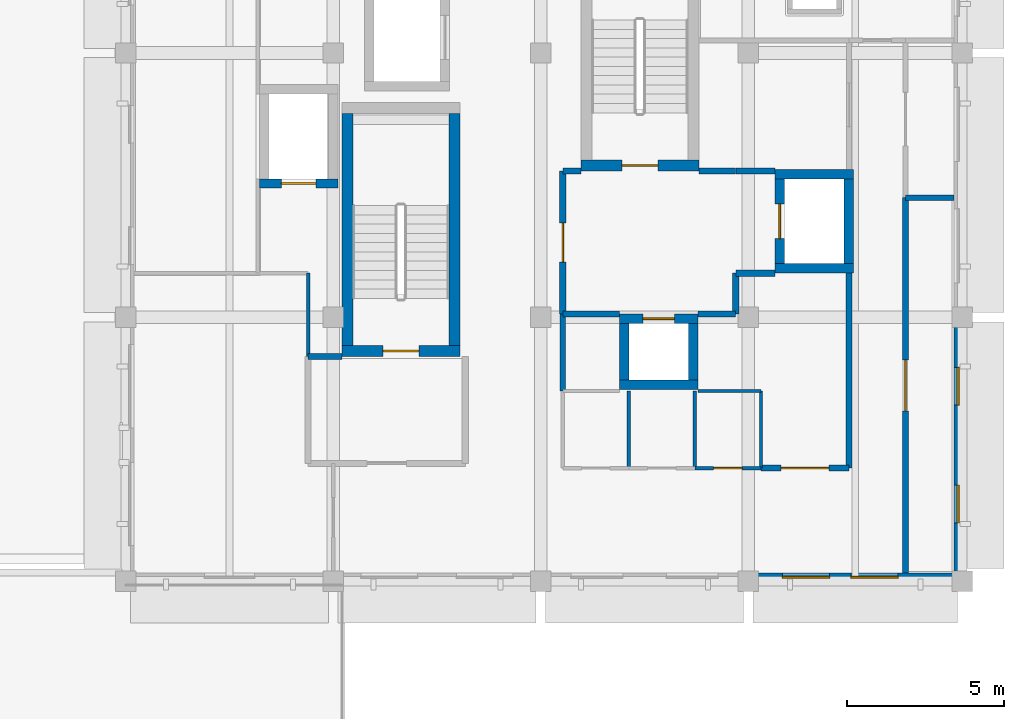
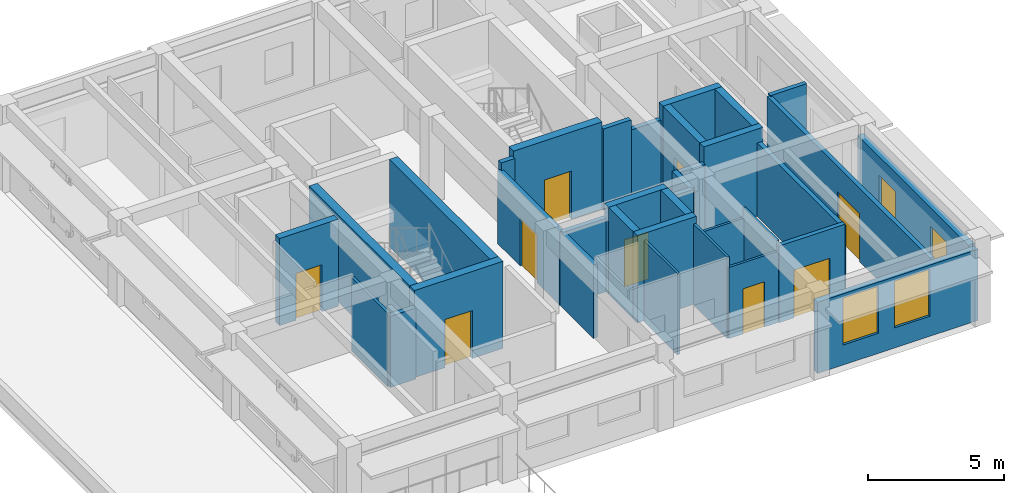
# One storey, part 3 of 7: 35 walls, 9 doors, 4 windows, 13 openings.
"""IFC4 building model written with IfcOpenShell, lengths in metres."""

from ifc_helpers import new_model, si_unit, direction, frame, frame_2d, origin, place, context, subcontext, project, spatial, rectangle, extrude, material, layer, layer_set, type_object, element, fill, save


model = new_model("IFC4")

# Units and contexts
model_context = context("Model", 3, precision=1e-05, world=origin(), true_north=direction((0.0, 1.0)))
body_context = subcontext(model_context, "Body", "Model", "MODEL_VIEW")
ifc_project = project(units=[si_unit("LENGTHUNIT", "METRE"), si_unit("AREAUNIT", "SQUARE_METRE"), si_unit("VOLUMEUNIT", "CUBIC_METRE"), si_unit("PLANEANGLEUNIT", "RADIAN"), si_unit("MASSUNIT", "GRAM", prefix="KILO")], contexts=[model_context])

# Site, building, storey
site_placement = place(None, origin())
site = spatial("IfcSite", under=ifc_project, at=site_placement, CompositionType="ELEMENT")
building_placement = place(site_placement, origin())
building = spatial("IfcBuilding", under=site, at=building_placement, Name="Kolvaren Faculty of Natural Sciences", CompositionType="ELEMENT")
storey_placement = place(building_placement, frame((0.0, 0.0, 32.699951171875)))
storey = spatial("IfcBuildingStorey", under=building, at=storey_placement, Name="L07", CompositionType="ELEMENT", Elevation=32.699951171875)

# Wall, opening, door
ifc_material_1 = material(Name="Concrete C40/50", Category="concrete")
ifc_layer_1 = layer(ifc_material_1, 0.35009765625)
ifc_layer_set_1 = layer_set([ifc_layer_1], Name="Concrete C40/50")
wall_type_1 = type_object("IfcWallType", Name="CoreShearWall_350", PredefinedType="SHEAR", material=ifc_layer_set_1)
wall_1_placement = place(storey_placement, frame((159.875, 72.22509765625, 0.0), z_axis=(0.0, 0.0, 1.0), x_axis=(1.0, 0.0, 0.0)))
wall_1 = element("IfcWall", 1, at=wall_1_placement, inside=storey, type_object=wall_type_1, Name="L07 CORE-C1 stair shear wall S", PredefinedType="SHEAR", context=body_context, shape_type="SweptSolid", body=[
    extrude(rectangle(XDim=3.75, YDim=0.35009765625, at=frame_2d((1.875, 0.0))), origin(), (0.0, 0.0, 1.0), 3.900146484375),
])
opening_1_placement = place(wall_1_placement, frame((1.300048828125, 0.0, 0.0)))
opening_1 = element("IfcOpeningElement", 2, at=opening_1_placement, cuts=wall_1, Name="Opening FD90", PredefinedType="OPENING", context=body_context, shape_type="SweptSolid", body=[
    extrude(rectangle(XDim=1.14990234375, YDim=2.14990234375, at=frame_2d((0.574951171875, 1.074951171875))), frame((0.0, 0.18505859375, 0.0), z_axis=(0.0, -1.0, 0.0), x_axis=(1.0, 0.0, 0.0)), (0.0, 0.0, 1.0), 0.3701171875),
])
ifc_material_2 = material(Name="Fire-rated solid-core hardwood door leaf in steel frame", Category="steel")
door_type_1 = type_object("IfcDoorType", Name="StairCoreFireDoor_1150x2150", OperationType="NOTDEFINED", PredefinedType="DOOR", material=ifc_material_2)
door_1_placement = place(opening_1_placement, origin())
door_1 = element("IfcDoor", 3, at=door_1_placement, inside=storey, type_object=door_type_1, Name="D-ST-ST-1-L07", OperationType="SINGLE_SWING_LEFT", OverallHeight=2.14990234375, OverallWidth=1.14990234375, PredefinedType="DOOR", context=body_context, shape_type="SweptSolid", body=[
    extrude(rectangle(XDim=1.14990234375, YDim=2.14990234375, at=frame_2d((0.574951171875, 1.074951171875))), frame((0.0, 0.02490234375, 0.0), z_axis=(0.0, -1.0, 0.0), x_axis=(1.0, 0.0, 0.0)), (0.0, 0.0, 1.0), 0.050048828125),
])
fill(opening_1, door_1)

wall_2_placement = place(storey_placement, frame((152.27490234375, 66.324951171875, 0.0), z_axis=(0.0, 0.0, 1.0), x_axis=(1.0, 0.0, 0.0)))
wall_2 = element("IfcWall", 4, at=wall_2_placement, inside=storey, type_object=wall_type_1, Name="L07 CORE-C2 stair shear wall S", PredefinedType="SHEAR", context=body_context, shape_type="SweptSolid", body=[
    extrude(rectangle(XDim=3.75, YDim=0.35009765625, at=frame_2d((1.875, 0.0))), origin(), (0.0, 0.0, 1.0), 3.900146484375),
])
opening_2_placement = place(wall_2_placement, frame((1.300048828125, 0.0, 0.0)))
opening_2 = element("IfcOpeningElement", 5, at=opening_2_placement, cuts=wall_2, Name="Opening FD90", PredefinedType="OPENING", context=body_context, shape_type="SweptSolid", body=[
    extrude(rectangle(XDim=1.14990234375, YDim=2.14990234375, at=frame_2d((0.574951171875, 1.074951171875))), frame((0.0, 0.18505859375, 0.0), z_axis=(0.0, -1.0, 0.0), x_axis=(1.0, 0.0, 0.0)), (0.0, 0.0, 1.0), 0.3701171875),
])
door_2_placement = place(opening_2_placement, origin())
door_2 = element("IfcDoor", 6, at=door_2_placement, inside=storey, type_object=door_type_1, Name="D-ST-ST-2-L07", OperationType="SINGLE_SWING_LEFT", OverallHeight=2.14990234375, OverallWidth=1.14990234375, PredefinedType="DOOR", context=body_context, shape_type="SweptSolid", body=[
    extrude(rectangle(XDim=1.14990234375, YDim=2.14990234375, at=frame_2d((0.574951171875, 1.074951171875))), frame((0.0, 0.02490234375, 0.0), z_axis=(0.0, -1.0, 0.0), x_axis=(1.0, 0.0, 0.0)), (0.0, 0.0, 1.0), 0.050048828125),
])
fill(opening_2, door_2)

# Walls
for number, where, z_axis, x_axis, name in (
    (7, (152.449951171875, 66.5, 0.0), (0.0, 0.0, 1.0), (0.0, 1.0, 0.0), "L07 CORE-C2 stair shear wall W"),
    (8, (155.85009765625, 66.5, 0.0), (0.0, 0.0, 1.0), (0.0, 1.0, 0.0), "L07 CORE-C2 stair shear wall E"),
):
    element("IfcWall", number, at=place(storey_placement, frame(where, z_axis=z_axis, x_axis=x_axis)), inside=storey, type_object=wall_type_1, Name=name, PredefinedType="SHEAR", context=body_context, shape_type="SweptSolid", body=[
        extrude(rectangle(XDim=7.375, YDim=0.35009765625, at=frame_2d((3.6875, 0.0))), origin(), (0.0, 0.0, 1.0), 3.900146484375),
    ])

# Wall, openings, windows
ifc_material_3 = material(Name="Precast concrete C35/45", Category="concrete")
ifc_layer_2 = layer(ifc_material_3, 0.260009765625)
ifc_layer_set_2 = layer_set([ifc_layer_2], Name="Precast concrete C35/45")
wall_type_2 = type_object("IfcWallType", Name="ExteriorPrecastWall_260", PredefinedType="STANDARD", material=ifc_layer_set_2)
wall_3_placement = place(storey_placement, frame((171.8701171875, 67.39990234375, 0.0), z_axis=(0.0, 0.0, 1.0), x_axis=(0.0, -1.0, 0.0)))
wall_3 = element("IfcWall", 9, at=wall_3_placement, inside=storey, type_object=wall_type_2, Name="L07 exterior masonry wall EW-260 (714)", PredefinedType="STANDARD", context=body_context, shape_type="SweptSolid", body=[
    extrude(rectangle(XDim=8.139892578125, YDim=0.260009765625, at=frame_2d((4.06982421875, 0.0))), origin(), (0.0, 0.0, 1.0), 3.28515625),
])
opening_3_placement = place(wall_3_placement, frame((1.597900390625, 0.0, 0.949951171875)))
opening_3 = element("IfcOpeningElement", 10, at=opening_3_placement, cuts=wall_3, Name="Opening WIN-13", PredefinedType="OPENING", context=body_context, shape_type="SweptSolid", body=[
    extrude(rectangle(XDim=1.199951171875, YDim=1.5, at=frame_2d((0.60009765625, 0.75))), frame((0.0, 0.139892578125, 0.0), z_axis=(0.0, -1.0, 0.0), x_axis=(1.0, 0.0, 0.0)), (0.0, 0.0, 1.0), 0.280029296875),
])
opening_4_placement = place(wall_3_placement, frame((5.34228515625, 0.0, 0.949951171875)))
opening_4 = element("IfcOpeningElement", 11, at=opening_4_placement, cuts=wall_3, Name="Opening WIN-13", PredefinedType="OPENING", context=body_context, shape_type="SweptSolid", body=[
    extrude(rectangle(XDim=1.199951171875, YDim=1.5, at=frame_2d((0.60009765625, 0.75))), frame((0.0, 0.139892578125, 0.0), z_axis=(0.0, -1.0, 0.0), x_axis=(1.0, 0.0, 0.0)), (0.0, 0.0, 1.0), 0.280029296875),
])
ifc_material_4 = material(Name="Double low-E solar control insulated glazing", Category="glass")
window_type_1 = type_object("IfcWindowType", Name="AluWindow_WIN13_1200x1500", PartitioningType="SINGLE_PANEL", PredefinedType="WINDOW", material=ifc_material_4)
window_1_placement = place(opening_3_placement, origin())
window_1 = element("IfcWindow", 12, at=window_1_placement, inside=storey, type_object=window_type_1, Name="WIN-L07-0561", OverallHeight=1.5, OverallWidth=1.199951171875, PartitioningType="SINGLE_PANEL", PredefinedType="WINDOW", context=body_context, shape_type="SweptSolid", body=[
    extrude(rectangle(XDim=1.199951171875, YDim=1.5, at=frame_2d((0.60009765625, 0.75))), frame((0.0, 0.030029296875, 0.0), z_axis=(0.0, -1.0, 0.0), x_axis=(1.0, 0.0, 0.0)), (0.0, 0.0, 1.0), 0.06005859375),
])
fill(opening_3, window_1)
window_2_placement = place(opening_4_placement, origin())
window_2 = element("IfcWindow", 13, at=window_2_placement, inside=storey, type_object=window_type_1, Name="WIN-L07-0562", OverallHeight=1.5, OverallWidth=1.199951171875, PartitioningType="SINGLE_PANEL", PredefinedType="WINDOW", context=body_context, shape_type="SweptSolid", body=[
    extrude(rectangle(XDim=1.199951171875, YDim=1.5, at=frame_2d((0.60009765625, 0.75))), frame((0.0, 0.030029296875, 0.0), z_axis=(0.0, -1.0, 0.0), x_axis=(1.0, 0.0, 0.0)), (0.0, 0.0, 1.0), 0.06005859375),
])
fill(opening_4, window_2)

wall_4_placement = place(storey_placement, frame((172.0, 59.1298828125, 0.0), z_axis=(0.0, 0.0, 1.0), x_axis=(-1.0, 0.0, 0.0)))
wall_4 = element("IfcWall", 14, at=wall_4_placement, inside=storey, type_object=wall_type_2, Name="L07 exterior masonry wall EW-260 (722)", PredefinedType="STANDARD", context=body_context, shape_type="SweptSolid", body=[
    extrude(rectangle(XDim=6.800048828125, YDim=0.260009765625, at=frame_2d((3.39990234375, 0.0))), origin(), (0.0, 0.0, 1.0), 3.18505859375),
])
opening_5_placement = place(wall_4_placement, frame((2.0400390625, 0.0, 0.89990234375)))
opening_5 = element("IfcOpeningElement", 15, at=opening_5_placement, cuts=wall_4, Name="Opening WIN-03", PredefinedType="OPENING", context=body_context, shape_type="SweptSolid", body=[
    extrude(rectangle(XDim=1.5, YDim=2.10009765625, at=frame_2d((0.75, 1.050048828125))), frame((0.0, 0.139892578125, 0.0), z_axis=(0.0, -1.0, 0.0), x_axis=(1.0, 0.0, 0.0)), (0.0, 0.0, 1.0), 0.280029296875),
])
opening_6_placement = place(wall_4_placement, frame((4.214111328125, 0.0, 0.89990234375)))
opening_6 = element("IfcOpeningElement", 16, at=opening_6_placement, cuts=wall_4, Name="Opening WIN-03", PredefinedType="OPENING", context=body_context, shape_type="SweptSolid", body=[
    extrude(rectangle(XDim=1.5, YDim=2.10009765625, at=frame_2d((0.75, 1.050048828125))), frame((0.0, 0.139892578125, 0.0), z_axis=(0.0, -1.0, 0.0), x_axis=(1.0, 0.0, 0.0)), (0.0, 0.0, 1.0), 0.280029296875),
])
window_type_2 = type_object("IfcWindowType", Name="AluWindow_WIN03_1500x2100", PartitioningType="SINGLE_PANEL", PredefinedType="WINDOW", material=ifc_material_4)
window_3_placement = place(opening_5_placement, origin())
window_3 = element("IfcWindow", 17, at=window_3_placement, inside=storey, type_object=window_type_2, Name="WIN-L07-0577", OverallHeight=2.10009765625, OverallWidth=1.5, PartitioningType="SINGLE_PANEL", PredefinedType="WINDOW", context=body_context, shape_type="SweptSolid", body=[
    extrude(rectangle(XDim=1.5, YDim=2.10009765625, at=frame_2d((0.75, 1.050048828125))), frame((0.0, 0.030029296875, 0.0), z_axis=(0.0, -1.0, 0.0), x_axis=(1.0, 0.0, 0.0)), (0.0, 0.0, 1.0), 0.06005859375),
])
fill(opening_5, window_3)
window_4_placement = place(opening_6_placement, origin())
window_4 = element("IfcWindow", 18, at=window_4_placement, inside=storey, type_object=window_type_2, Name="WIN-L07-0578", OverallHeight=2.10009765625, OverallWidth=1.5, PartitioningType="SINGLE_PANEL", PredefinedType="WINDOW", context=body_context, shape_type="SweptSolid", body=[
    extrude(rectangle(XDim=1.5, YDim=2.10009765625, at=frame_2d((0.75, 1.050048828125))), frame((0.0, 0.030029296875, 0.0), z_axis=(0.0, -1.0, 0.0), x_axis=(1.0, 0.0, 0.0)), (0.0, 0.0, 1.0), 0.06005859375),
])
fill(opening_6, window_4)

# Walls
ifc_material_5 = material(Name="Autoclaved aerated fire-rated masonry blockwork", Category="masonry")
ifc_layer_3 = layer(ifc_material_5, 0.199951171875)
ifc_layer_set_3 = layer_set([ifc_layer_3], Name="Autoclaved aerated fire-rated masonry blockwork")
wall_type_3 = type_object("IfcWallType", Name="FireLobbyWall_200", PredefinedType="PARTITIONING", material=ifc_layer_set_3)
wall_5_placement = place(storey_placement, frame((159.300048828125, 72.050048828125, 0.0), z_axis=(0.0, 0.0, 1.0), x_axis=(1.0, 0.0, 0.0)))
element("IfcWall", 19, at=wall_5_placement, inside=storey, type_object=wall_type_3, Name="L07 interior partition FW-200", PredefinedType="PARTITIONING", context=body_context, shape_type="SweptSolid", body=[
    extrude(rectangle(XDim=0.574951171875, YDim=0.199951171875, at=frame_2d((0.28759765625, 0.0))), origin(), (0.0, 0.0, 1.0), 3.635009765625),
])
wall_6_placement = place(storey_placement, frame((163.625, 72.050048828125, 0.0), z_axis=(0.0, 0.0, 1.0), x_axis=(1.0, 0.0, 0.0)))
element("IfcWall", 20, at=wall_6_placement, inside=storey, type_object=wall_type_3, Name="L07 interior partition FW-200", PredefinedType="PARTITIONING", context=body_context, shape_type="SweptSolid", body=[
    extrude(rectangle(XDim=1.175048828125, YDim=0.199951171875, at=frame_2d((0.58740234375, 0.0))), origin(), (0.0, 0.0, 1.0), 3.635009765625),
])
for number, where, z_axis, x_axis, name in (
    (21, (164.800048828125, 72.050048828125, 0.0), (0.0, 0.0, 1.0), (1.0, 0.0, 0.0), "L07 interior partition FW-200"),
    (22, (166.050048828125, 68.800048828125, 0.0), (0.0, 0.0, 1.0), (-1.0, 0.0, 0.0), "L07 interior partition FW-200"),
):
    element("IfcWall", number, at=place(storey_placement, frame(where, z_axis=z_axis, x_axis=x_axis)), inside=storey, type_object=wall_type_3, Name=name, PredefinedType="PARTITIONING", context=body_context, shape_type="SweptSolid", body=[
        extrude(rectangle(XDim=1.25, YDim=0.199951171875, at=frame_2d((0.625, 0.0))), origin(), (0.0, 0.0, 1.0), 3.18505859375),
    ])
wall_7_placement = place(storey_placement, frame((164.800048828125, 68.800048828125, 0.0), z_axis=(0.0, 0.0, 1.0), x_axis=(0.0, -1.0, 0.0)))
element("IfcWall", 23, at=wall_7_placement, inside=storey, type_object=wall_type_3, Name="L07 interior partition FW-200", PredefinedType="PARTITIONING", context=body_context, shape_type="SweptSolid", body=[
    extrude(rectangle(XDim=1.300048828125, YDim=0.199951171875, at=frame_2d((0.64990234375, 0.0))), origin(), (0.0, 0.0, 1.0), 3.28515625),
])
wall_8_placement = place(storey_placement, frame((164.800048828125, 67.5, 0.0), z_axis=(0.0, 0.0, 1.0), x_axis=(-1.0, 0.0, 0.0)))
element("IfcWall", 24, at=wall_8_placement, inside=storey, type_object=wall_type_3, Name="L07 interior partition FW-200", PredefinedType="PARTITIONING", context=body_context, shape_type="SweptSolid", body=[
    extrude(rectangle(XDim=1.199951171875, YDim=0.199951171875, at=frame_2d((0.60009765625, 0.0))), origin(), (0.0, 0.0, 1.0), 3.28515625),
])
wall_9_placement = place(storey_placement, frame((161.10009765625, 67.5, 0.0), z_axis=(0.0, 0.0, 1.0), x_axis=(-1.0, 0.0, 0.0)))
element("IfcWall", 25, at=wall_9_placement, inside=storey, type_object=wall_type_3, Name="L07 interior partition FW-200", PredefinedType="PARTITIONING", context=body_context, shape_type="SweptSolid", body=[
    extrude(rectangle(XDim=1.800048828125, YDim=0.199951171875, at=frame_2d((0.89990234375, 0.0))), origin(), (0.0, 0.0, 1.0), 3.28515625),
])

# Wall, opening, door
wall_10_placement = place(storey_placement, frame((159.300048828125, 67.5, 0.0), z_axis=(0.0, 0.0, 1.0), x_axis=(0.0, 1.0, 0.0)))
wall_10 = element("IfcWall", 26, at=wall_10_placement, inside=storey, type_object=wall_type_3, Name="L07 interior partition FW-200", PredefinedType="PARTITIONING", context=body_context, shape_type="SweptSolid", body=[
    extrude(rectangle(XDim=4.550048828125, YDim=0.199951171875, at=frame_2d((2.27490234375, 0.0))), origin(), (0.0, 0.0, 1.0), 3.28515625),
])
opening_7_placement = place(wall_10_placement, frame((1.64990234375, 0.0, 0.0)))
opening_7 = element("IfcOpeningElement", 27, at=opening_7_placement, cuts=wall_10, Name="Opening FD60", PredefinedType="OPENING", context=body_context, shape_type="SweptSolid", body=[
    extrude(rectangle(XDim=1.25, YDim=2.14990234375, at=frame_2d((0.625, 1.074951171875))), frame((0.0, 0.10986328125, 0.0), z_axis=(0.0, -1.0, 0.0), x_axis=(1.0, 0.0, 0.0)), (0.0, 0.0, 1.0), 0.219970703125),
])
door_type_2 = type_object("IfcDoorType", Name="RescueLobbyFireDoor_1250x2150", OperationType="NOTDEFINED", PredefinedType="DOOR", material=ifc_material_2)
door_3_placement = place(opening_7_placement, origin())
door_3 = element("IfcDoor", 28, at=door_3_placement, inside=storey, type_object=door_type_2, Name="D-L07-0350", OperationType="SINGLE_SWING_RIGHT", OverallHeight=2.14990234375, OverallWidth=1.25, PredefinedType="DOOR", context=body_context, shape_type="SweptSolid", body=[
    extrude(rectangle(XDim=1.25, YDim=2.14990234375, at=frame_2d((0.625, 1.074951171875))), frame((0.0, 0.02490234375, 0.0), z_axis=(0.0, -1.0, 0.0), x_axis=(1.0, 0.0, 0.0)), (0.0, 0.0, 1.0), 0.050048828125),
])
fill(opening_7, door_3)

# Wall
wall_11_placement = place(storey_placement, frame((151.199951171875, 66.14990234375, 0.0), z_axis=(0.0, 0.0, 1.0), x_axis=(1.0, 0.0, 0.0)))
element("IfcWall", 29, at=wall_11_placement, inside=storey, type_object=wall_type_3, Name="L07 interior partition FW-200", PredefinedType="PARTITIONING", context=body_context, shape_type="SweptSolid", body=[
    extrude(rectangle(XDim=1.074951171875, YDim=0.199951171875, at=frame_2d((0.53759765625, 0.0))), origin(), (0.0, 0.0, 1.0), 3.18505859375),
])

# Wall, opening, door
ifc_material_6 = material(Name="Acoustic mineral-wool insulated gypsum partition")
ifc_layer_4 = layer(ifc_material_6, 0.179931640625)
ifc_layer_set_4 = layer_set([ifc_layer_4], Name="Acoustic mineral-wool insulated gypsum partition")
wall_type_4 = type_object("IfcWallType", Name="LabPartitionWall_180", PredefinedType="PARTITIONING", material=ifc_layer_set_4)
wall_12_placement = place(storey_placement, frame((170.199951171875, 59.261962890625, 0.0), z_axis=(0.0, 0.0, 1.0), x_axis=(0.0, 1.0, 0.0)))
wall_12 = element("IfcWall", 30, at=wall_12_placement, inside=storey, type_object=wall_type_4, Name="L07 interior partition PW-180", PredefinedType="PARTITIONING", context=body_context, shape_type="SweptSolid", body=[
    extrude(rectangle(XDim=11.93798828125, YDim=0.179931640625, at=frame_2d((5.968994140625, 0.0))), origin(), (0.0, 0.0, 1.0), 3.28515625),
])
opening_8_placement = place(wall_12_placement, frame((5.158935546875, 0.0, 0.0)))
opening_8 = element("IfcOpeningElement", 31, at=opening_8_placement, cuts=wall_12, Name="Opening ID-29", PredefinedType="OPENING", context=body_context, shape_type="SweptSolid", body=[
    extrude(rectangle(XDim=1.6201171875, YDim=2.139892578125, at=frame_2d((0.81005859375, 1.06982421875))), frame((0.0, 0.099853515625, 0.0), z_axis=(0.0, -1.0, 0.0), x_axis=(1.0, 0.0, 0.0)), (0.0, 0.0, 1.0), 0.199951171875),
])
ifc_material_7 = material(Name="Thermally broken anodised aluminium glazed door", Category="aluminium")
door_type_3 = type_object("IfcDoorType", Name="InteriorRoomDoor_1620x2140", OperationType="DOUBLE_DOOR_SINGLE_SWING", PredefinedType="DOOR", material=ifc_material_7)
door_4_placement = place(opening_8_placement, origin())
door_4 = element("IfcDoor", 32, at=door_4_placement, inside=storey, type_object=door_type_3, Name="D-L07-0359", OperationType="DOUBLE_DOOR_SINGLE_SWING", OverallHeight=2.139892578125, OverallWidth=1.6201171875, PredefinedType="DOOR", context=body_context, shape_type="SweptSolid", body=[
    extrude(rectangle(XDim=1.6201171875, YDim=2.139892578125, at=frame_2d((0.81005859375, 1.06982421875))), frame((0.0, 0.02490234375, 0.0), z_axis=(0.0, -1.0, 0.0), x_axis=(1.0, 0.0, 0.0)), (0.0, 0.0, 1.0), 0.050048828125),
])
fill(opening_8, door_4)

# Walls
wall_13_placement = place(storey_placement, frame((170.199951171875, 71.199951171875, 0.0), z_axis=(0.0, 0.0, 1.0), x_axis=(1.0, 0.0, 0.0)))
element("IfcWall", 33, at=wall_13_placement, inside=storey, type_object=wall_type_4, Name="L07 interior partition PW-180", PredefinedType="PARTITIONING", context=body_context, shape_type="SweptSolid", body=[
    extrude(rectangle(XDim=1.5380859375, YDim=0.179931640625, at=frame_2d((0.76904296875, 0.0))), origin(), (0.0, 0.0, 1.0), 3.3349609375),
])
ifc_layer_5 = layer(ifc_material_6, 0.18505859375)
ifc_layer_set_5 = layer_set([ifc_layer_5], Name="Acoustic mineral-wool insulated gypsum partition")
wall_type_5 = type_object("IfcWallType", Name="LabPartitionWall_185", PredefinedType="PARTITIONING", material=ifc_layer_set_5)
wall_14_placement = place(storey_placement, frame((168.39990234375, 68.798095703125, 0.0), z_axis=(0.0, 0.0, 1.0), x_axis=(0.0, -1.0, 0.0)))
element("IfcWall", 34, at=wall_14_placement, inside=storey, type_object=wall_type_5, Name="L07 interior partition PW-185", PredefinedType="PARTITIONING", context=body_context, shape_type="SweptSolid", body=[
    extrude(rectangle(XDim=6.197998046875, YDim=0.18505859375, at=frame_2d((3.09912109375, 0.0))), origin(), (0.0, 0.0, 1.0), 3.28515625),
])

# Wall, opening, door
wall_15_placement = place(storey_placement, frame((168.39990234375, 62.60009765625, 0.0), z_axis=(0.0, 0.0, 1.0), x_axis=(-1.0, 0.0, 0.0)))
wall_15 = element("IfcWall", 35, at=wall_15_placement, inside=storey, type_object=wall_type_5, Name="L07 interior partition PW-185", PredefinedType="PARTITIONING", context=body_context, shape_type="SweptSolid", body=[
    extrude(rectangle(XDim=2.7998046875, YDim=0.18505859375, at=frame_2d((1.39990234375, 0.0))), origin(), (0.0, 0.0, 1.0), 3.43505859375),
])
opening_9_placement = place(wall_15_placement, frame((0.639892578125, 0.0, 0.0)))
opening_9 = element("IfcOpeningElement", 36, at=opening_9_placement, cuts=wall_15, Name="Opening ID-28", PredefinedType="OPENING", context=body_context, shape_type="SweptSolid", body=[
    extrude(rectangle(XDim=1.52001953125, YDim=2.139892578125, at=frame_2d((0.760009765625, 1.06982421875))), frame((0.0, 0.1025390625, 0.0), z_axis=(0.0, -1.0, 0.0), x_axis=(1.0, 0.0, 0.0)), (0.0, 0.0, 1.0), 0.205078125),
])
door_type_4 = type_object("IfcDoorType", Name="InteriorRoomDoor_1520x2140", OperationType="DOUBLE_DOOR_SINGLE_SWING", PredefinedType="DOOR", material=ifc_material_7)
door_5_placement = place(opening_9_placement, origin())
door_5 = element("IfcDoor", 37, at=door_5_placement, inside=storey, type_object=door_type_4, Name="D-L07-0358", OperationType="DOUBLE_DOOR_SINGLE_SWING", OverallHeight=2.139892578125, OverallWidth=1.52001953125, PredefinedType="DOOR", context=body_context, shape_type="SweptSolid", body=[
    extrude(rectangle(XDim=1.52001953125, YDim=2.139892578125, at=frame_2d((0.760009765625, 1.06982421875))), frame((0.0, 0.02490234375, 0.0), z_axis=(0.0, -1.0, 0.0), x_axis=(1.0, 0.0, 0.0)), (0.0, 0.0, 1.0), 0.050048828125),
])
fill(opening_9, door_5)

# Walls
wall_16_placement = place(storey_placement, frame((159.300048828125, 65.050048828125, 0.0), z_axis=(0.0, 0.0, 1.0), x_axis=(0.0, 1.0, 0.0)))
element("IfcWall", 38, at=wall_16_placement, inside=storey, type_object=wall_type_5, Name="L07 interior partition PW-185", PredefinedType="PARTITIONING", context=body_context, shape_type="SweptSolid", body=[
    extrude(rectangle(XDim=2.449951171875, YDim=0.18505859375, at=frame_2d((1.22509765625, 0.0))), origin(), (0.0, 0.0, 1.0), 3.28515625),
])
ifc_layer_6 = layer(ifc_material_1, 0.300048828125)
ifc_layer_set_6 = layer_set([ifc_layer_6], Name="Concrete C40/50")
wall_type_6 = type_object("IfcWallType", Name="ShaftShearWall_300", PredefinedType="SHEAR", material=ifc_layer_set_6)
for number, where, z_axis, x_axis, name in (
    (39, (166.050048828125, 68.949951171875, 0.0), (0.0, 0.0, 1.0), (1.0, 0.0, 0.0), "L07 lift FL-1 shaft wall S"),
    (40, (166.050048828125, 71.949951171875, 0.0), (0.0, 0.0, 1.0), (1.0, 0.0, 0.0), "L07 lift FL-1 shaft wall N"),
):
    element("IfcWall", number, at=place(storey_placement, frame(where, z_axis=z_axis, x_axis=x_axis)), inside=storey, type_object=wall_type_6, Name=name, PredefinedType="SHEAR", context=body_context, shape_type="SweptSolid", body=[
        extrude(rectangle(XDim=2.5, YDim=0.300048828125, at=frame_2d((1.25, 0.0))), origin(), (0.0, 0.0, 1.0), 3.900146484375),
    ])

# Wall, opening, door
wall_17_placement = place(storey_placement, frame((166.199951171875, 69.10009765625, 0.0), z_axis=(0.0, 0.0, 1.0), x_axis=(0.0, 1.0, 0.0)))
wall_17 = element("IfcWall", 41, at=wall_17_placement, inside=storey, type_object=wall_type_6, Name="L07 lift FL-1 shaft wall W", PredefinedType="SHEAR", context=body_context, shape_type="SweptSolid", body=[
    extrude(rectangle(XDim=2.699951171875, YDim=0.300048828125, at=frame_2d((1.35009765625, 0.0))), origin(), (0.0, 0.0, 1.0), 3.900146484375),
])
opening_10_placement = place(wall_17_placement, frame((0.800048828125, 0.0, 0.0)))
opening_10 = element("IfcOpeningElement", 42, at=opening_10_placement, cuts=wall_17, Name="Opening LD-01", PredefinedType="OPENING", context=body_context, shape_type="SweptSolid", body=[
    extrude(rectangle(XDim=1.10009765625, YDim=2.10009765625, at=frame_2d((0.550048828125, 1.050048828125))), frame((0.0, 0.159912109375, 0.0), z_axis=(0.0, -1.0, 0.0), x_axis=(1.0, 0.0, 0.0)), (0.0, 0.0, 1.0), 0.320068359375),
])
ifc_material_8 = material(Name="Brushed stainless steel lift car and sliding door assembly", Category="steel")
door_type_5 = type_object("IfcDoorType", Name="LiftLandingSliding_1100x2100", OperationType="DOUBLE_DOOR_SLIDING", PredefinedType="DOOR", material=ifc_material_8)
door_6_placement = place(opening_10_placement, origin())
door_6 = element("IfcDoor", 43, at=door_6_placement, inside=storey, type_object=door_type_5, Name="D-LIFT-FL-1-L07", OperationType="DOUBLE_DOOR_SLIDING", OverallHeight=2.10009765625, OverallWidth=1.10009765625, PredefinedType="DOOR", context=body_context, shape_type="SweptSolid", body=[
    extrude(rectangle(XDim=1.10009765625, YDim=2.10009765625, at=frame_2d((0.550048828125, 1.050048828125))), frame((0.0, 0.02490234375, 0.0), z_axis=(0.0, -1.0, 0.0), x_axis=(1.0, 0.0, 0.0)), (0.0, 0.0, 1.0), 0.050048828125),
])
fill(opening_10, door_6)

# Walls
wall_18_placement = place(storey_placement, frame((168.39990234375, 69.10009765625, 0.0), z_axis=(0.0, 0.0, 1.0), x_axis=(0.0, 1.0, 0.0)))
element("IfcWall", 44, at=wall_18_placement, inside=storey, type_object=wall_type_6, Name="L07 lift FL-1 shaft wall E", PredefinedType="SHEAR", context=body_context, shape_type="SweptSolid", body=[
    extrude(rectangle(XDim=2.699951171875, YDim=0.300048828125, at=frame_2d((1.35009765625, 0.0))), origin(), (0.0, 0.0, 1.0), 3.900146484375),
])
wall_19_placement = place(storey_placement, frame((161.10009765625, 65.25, 0.0), z_axis=(0.0, 0.0, 1.0), x_axis=(1.0, 0.0, 0.0)))
element("IfcWall", 45, at=wall_19_placement, inside=storey, type_object=wall_type_6, Name="L07 lift PL-1 shaft wall S", PredefinedType="SHEAR", context=body_context, shape_type="SweptSolid", body=[
    extrude(rectangle(XDim=2.5, YDim=0.300048828125, at=frame_2d((1.25, 0.0))), origin(), (0.0, 0.0, 1.0), 3.900146484375),
])

# Wall, opening, door
wall_20_placement = place(storey_placement, frame((161.10009765625, 67.35009765625, 0.0), z_axis=(0.0, 0.0, 1.0), x_axis=(1.0, 0.0, 0.0)))
wall_20 = element("IfcWall", 46, at=wall_20_placement, inside=storey, type_object=wall_type_6, Name="L07 lift PL-1 shaft wall N", PredefinedType="SHEAR", context=body_context, shape_type="SweptSolid", body=[
    extrude(rectangle(XDim=2.5, YDim=0.300048828125, at=frame_2d((1.25, 0.0))), origin(), (0.0, 0.0, 1.0), 3.900146484375),
])
opening_11_placement = place(wall_20_placement, frame((0.75, 0.0, 0.0)))
opening_11 = element("IfcOpeningElement", 47, at=opening_11_placement, cuts=wall_20, Name="Opening LD-02", PredefinedType="OPENING", context=body_context, shape_type="SweptSolid", body=[
    extrude(rectangle(XDim=1.0, YDim=2.10009765625, at=frame_2d((0.5, 1.050048828125))), frame((0.0, 0.159912109375, 0.0), z_axis=(0.0, -1.0, 0.0), x_axis=(1.0, 0.0, 0.0)), (0.0, 0.0, 1.0), 0.320068359375),
])
door_type_6 = type_object("IfcDoorType", Name="LiftLandingSliding_1000x2100", OperationType="SLIDING_TO_LEFT", PredefinedType="DOOR", material=ifc_material_8)
door_7_placement = place(opening_11_placement, origin())
door_7 = element("IfcDoor", 48, at=door_7_placement, inside=storey, type_object=door_type_6, Name="D-LIFT-PL-1-L07", OperationType="SLIDING_TO_LEFT", OverallHeight=2.10009765625, OverallWidth=1.0, PredefinedType="DOOR", context=body_context, shape_type="SweptSolid", body=[
    extrude(rectangle(XDim=1.0, YDim=2.10009765625, at=frame_2d((0.5, 1.050048828125))), frame((0.0, 0.02490234375, 0.0), z_axis=(0.0, -1.0, 0.0), x_axis=(1.0, 0.0, 0.0)), (0.0, 0.0, 1.0), 0.050048828125),
])
fill(opening_11, door_7)

# Walls
for number, where, z_axis, x_axis, name in (
    (49, (161.25, 65.39990234375, 0.0), (0.0, 0.0, 1.0), (0.0, 1.0, 0.0), "L07 lift PL-1 shaft wall W"),
    (50, (163.449951171875, 65.39990234375, 0.0), (0.0, 0.0, 1.0), (0.0, 1.0, 0.0), "L07 lift PL-1 shaft wall E"),
):
    element("IfcWall", number, at=place(storey_placement, frame(where, z_axis=z_axis, x_axis=x_axis)), inside=storey, type_object=wall_type_6, Name=name, PredefinedType="SHEAR", context=body_context, shape_type="SweptSolid", body=[
        extrude(rectangle(XDim=1.800048828125, YDim=0.300048828125, at=frame_2d((0.89990234375, 0.0))), origin(), (0.0, 0.0, 1.0), 3.900146484375),
    ])

# Wall, opening, door
wall_21_placement = place(storey_placement, frame((149.64990234375, 71.64990234375, 0.0), z_axis=(0.0, 0.0, 1.0), x_axis=(1.0, 0.0, 0.0)))
wall_21 = element("IfcWall", 51, at=wall_21_placement, inside=storey, type_object=wall_type_6, Name="L07 lift FL-2 shaft wall S", PredefinedType="SHEAR", context=body_context, shape_type="SweptSolid", body=[
    extrude(rectangle(XDim=2.5, YDim=0.300048828125, at=frame_2d((1.25, 0.0))), origin(), (0.0, 0.0, 1.0), 3.900146484375),
])
opening_12_placement = place(wall_21_placement, frame((0.699951171875, 0.0, 0.0)))
opening_12 = element("IfcOpeningElement", 52, at=opening_12_placement, cuts=wall_21, Name="Opening LD-01", PredefinedType="OPENING", context=body_context, shape_type="SweptSolid", body=[
    extrude(rectangle(XDim=1.10009765625, YDim=2.10009765625, at=frame_2d((0.550048828125, 1.050048828125))), frame((0.0, 0.159912109375, 0.0), z_axis=(0.0, -1.0, 0.0), x_axis=(1.0, 0.0, 0.0)), (0.0, 0.0, 1.0), 0.320068359375),
])
door_8_placement = place(opening_12_placement, origin())
door_8 = element("IfcDoor", 53, at=door_8_placement, inside=storey, type_object=door_type_5, Name="D-LIFT-FL-2-L07", OperationType="DOUBLE_DOOR_SLIDING", OverallHeight=2.10009765625, OverallWidth=1.10009765625, PredefinedType="DOOR", context=body_context, shape_type="SweptSolid", body=[
    extrude(rectangle(XDim=1.10009765625, YDim=2.10009765625, at=frame_2d((0.550048828125, 1.050048828125))), frame((0.0, 0.02490234375, 0.0), z_axis=(0.0, -1.0, 0.0), x_axis=(1.0, 0.0, 0.0)), (0.0, 0.0, 1.0), 0.050048828125),
])
fill(opening_12, door_8)

# Walls
ifc_layer_7 = layer(ifc_material_6, 0.114990234375)
ifc_layer_set_7 = layer_set([ifc_layer_7], Name="Acoustic mineral-wool insulated gypsum partition")
wall_type_7 = type_object("IfcWallType", Name="StorePartitionWall_115", PredefinedType="PARTITIONING", material=ifc_layer_set_7)
wall_22_placement = place(storey_placement, frame((151.199951171875, 68.800048828125, 0.0), z_axis=(0.0, 0.0, 1.0), x_axis=(0.0, -1.0, 0.0)))
element("IfcWall", 54, at=wall_22_placement, inside=storey, type_object=wall_type_7, Name="L07 interior partition PW-115", PredefinedType="PARTITIONING", context=body_context, shape_type="SweptSolid", body=[
    extrude(rectangle(XDim=2.650146484375, YDim=0.114990234375, at=frame_2d((1.3251953125, 0.0))), origin(), (0.0, 0.0, 1.0), 3.28515625),
])
ifc_layer_8 = layer(ifc_material_6, 0.10498046875)
ifc_layer_set_8 = layer_set([ifc_layer_8], Name="Acoustic mineral-wool insulated gypsum partition")
wall_type_8 = type_object("IfcWallType", Name="WetRoomPartition_105", PredefinedType="PARTITIONING", material=ifc_layer_set_8)
for number, where, z_axis, x_axis, name in (
    (55, (161.39990234375, 65.050048828125, 0.0), (0.0, 0.0, 1.0), (0.0, -1.0, 0.0), "L07 interior partition PW-105"),
    (56, (163.5, 65.050048828125, 0.0), (0.0, 0.0, 1.0), (0.0, -1.0, 0.0), "L07 interior partition PW-105"),
):
    element("IfcWall", number, at=place(storey_placement, frame(where, z_axis=z_axis, x_axis=x_axis)), inside=storey, type_object=wall_type_8, Name=name, PredefinedType="PARTITIONING", context=body_context, shape_type="SweptSolid", body=[
        extrude(rectangle(XDim=2.449951171875, YDim=0.10498046875, at=frame_2d((1.22509765625, 0.0))), origin(), (0.0, 0.0, 1.0), 3.635009765625),
    ])
wall_23_placement = place(storey_placement, frame((163.60009765625, 65.050048828125, 0.0), z_axis=(0.0, 0.0, 1.0), x_axis=(1.0, 0.0, 0.0)))
element("IfcWall", 57, at=wall_23_placement, inside=storey, type_object=wall_type_8, Name="L07 interior partition PW-105", PredefinedType="PARTITIONING", context=body_context, shape_type="SweptSolid", body=[
    extrude(rectangle(XDim=2.0, YDim=0.10498046875, at=frame_2d((1.0, 0.0))), origin(), (0.0, 0.0, 1.0), 3.18505859375),
])
wall_24_placement = place(storey_placement, frame((165.60009765625, 65.050048828125, 0.0), z_axis=(0.0, 0.0, 1.0), x_axis=(0.0, -1.0, 0.0)))
element("IfcWall", 58, at=wall_24_placement, inside=storey, type_object=wall_type_8, Name="L07 interior partition PW-105", PredefinedType="PARTITIONING", context=body_context, shape_type="SweptSolid", body=[
    extrude(rectangle(XDim=2.449951171875, YDim=0.10498046875, at=frame_2d((1.22509765625, 0.0))), origin(), (0.0, 0.0, 1.0), 3.635009765625),
])

# Wall, opening, door
wall_25_placement = place(storey_placement, frame((165.60009765625, 62.60009765625, 0.0), z_axis=(0.0, 0.0, 1.0), x_axis=(-1.0, 0.0, 0.0)))
wall_25 = element("IfcWall", 59, at=wall_25_placement, inside=storey, type_object=wall_type_8, Name="L07 interior partition PW-105", PredefinedType="PARTITIONING", context=body_context, shape_type="SweptSolid", body=[
    extrude(rectangle(XDim=2.10009765625, YDim=0.10498046875, at=frame_2d((1.050048828125, 0.0))), origin(), (0.0, 0.0, 1.0), 3.18505859375),
])
opening_13_placement = place(wall_25_placement, frame((0.60009765625, 0.0, 0.0)))
opening_13 = element("IfcOpeningElement", 60, at=opening_13_placement, cuts=wall_25, Name="Opening ID-01", PredefinedType="OPENING", context=body_context, shape_type="SweptSolid", body=[
    extrude(rectangle(XDim=0.89990234375, YDim=2.02001953125, at=frame_2d((0.449951171875, 1.010009765625))), frame((0.0, 0.0625, 0.0), z_axis=(0.0, -1.0, 0.0), x_axis=(1.0, 0.0, 0.0)), (0.0, 0.0, 1.0), 0.125),
])
ifc_material_9 = material(Name="Solid-core hardwood veneer door leaf in steel frame", Category="steel")
door_type_7 = type_object("IfcDoorType", Name="InteriorRoomDoor_900x2020", OperationType="NOTDEFINED", PredefinedType="DOOR", material=ifc_material_9)
door_9_placement = place(opening_13_placement, origin())
door_9 = element("IfcDoor", 61, at=door_9_placement, inside=storey, type_object=door_type_7, Name="D-L07-0354", OperationType="SINGLE_SWING_RIGHT", OverallHeight=2.02001953125, OverallWidth=0.89990234375, PredefinedType="DOOR", context=body_context, shape_type="SweptSolid", body=[
    extrude(rectangle(XDim=0.89990234375, YDim=2.02001953125, at=frame_2d((0.449951171875, 1.010009765625))), frame((0.0, 0.02490234375, 0.0), z_axis=(0.0, -1.0, 0.0), x_axis=(1.0, 0.0, 0.0)), (0.0, 0.0, 1.0), 0.050048828125),
])
fill(opening_13, door_9)

save(model, "model.ifc")
